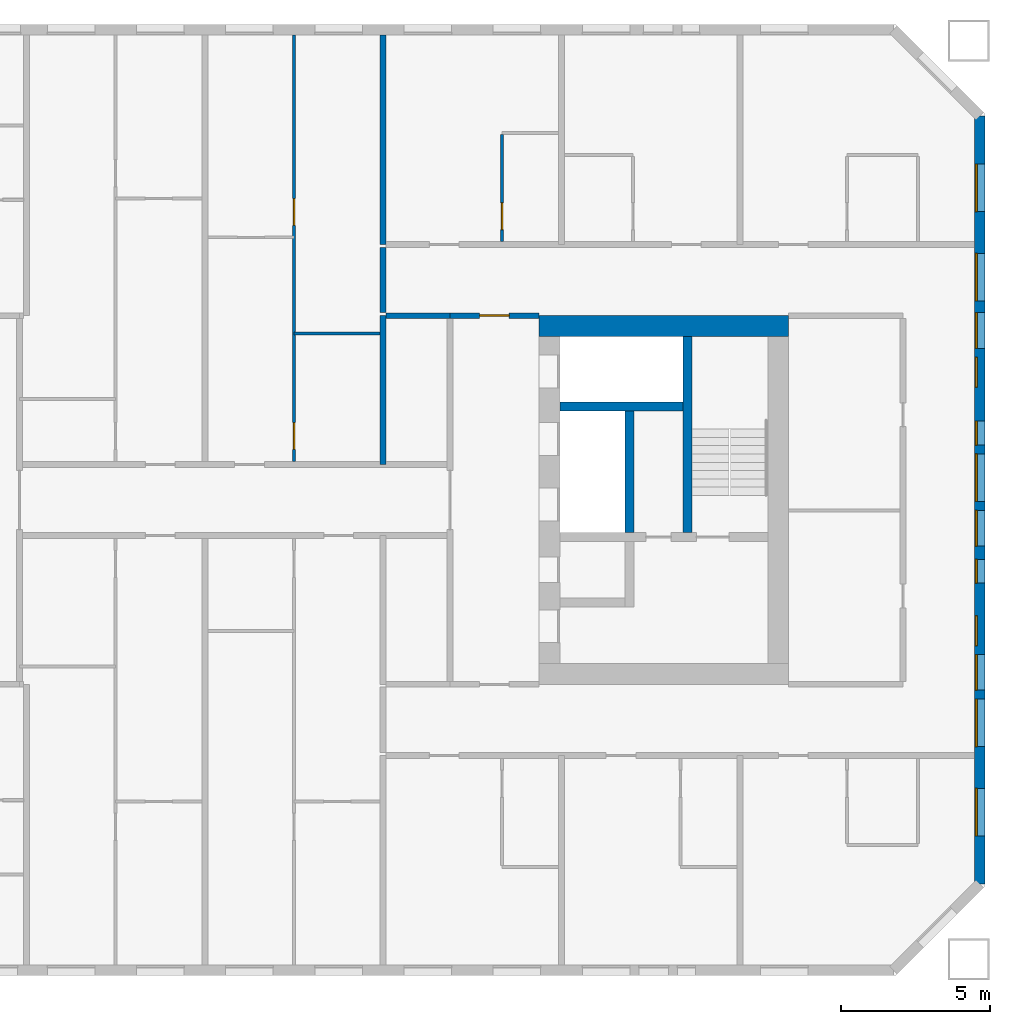
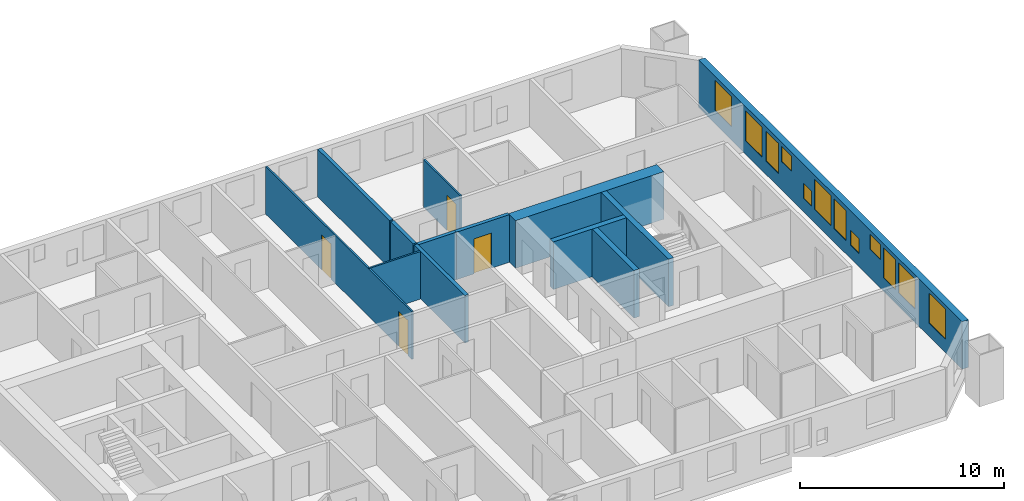
# One storey, part 13 of 17: 13 walls, 12 windows, 4 doors, 16 openings.
"""IFC4 building model written with IfcOpenShell, lengths in metres."""

from ifc_helpers import new_model, si_unit, direction, frame, frame_2d, origin, place, context, subcontext, project, spatial, rectangle, extrude, material, layer, layer_set, type_object, element, fill, save


model = new_model("IFC4")

# Units and contexts
model_context = context("Model", 3, precision=1e-05, world=origin(), true_north=direction((0.0, 1.0)))
body_context = subcontext(model_context, "Body", "Model", "MODEL_VIEW")
ifc_project = project(units=[si_unit("LENGTHUNIT", "METRE"), si_unit("AREAUNIT", "SQUARE_METRE"), si_unit("VOLUMEUNIT", "CUBIC_METRE"), si_unit("PLANEANGLEUNIT", "RADIAN"), si_unit("MASSUNIT", "GRAM", prefix="KILO")], contexts=[model_context])

# Site, building, storey
site_placement = place(None, origin())
site = spatial("IfcSite", under=ifc_project, at=site_placement, CompositionType="ELEMENT")
building_placement = place(site_placement, origin())
building = spatial("IfcBuilding", under=site, at=building_placement, Name="Tuart Gate Housing", CompositionType="ELEMENT")
storey_placement = place(building_placement, frame((0.0, 0.0, 74.699951171875)))
storey = spatial("IfcBuildingStorey", under=building, at=storey_placement, Name="L20", CompositionType="ELEMENT", Elevation=74.699951171875)

# Wall, openings, windows
ifc_material_1 = material(Name="Brick", Category="masonry")
ifc_layer_1 = layer(ifc_material_1, 0.360107421875)
ifc_layer_set_1 = layer_set([ifc_layer_1], Name="Brick pier and spandrel wall 360")
wall_type_1 = type_object("IfcWallType", Name="Brick pier and spandrel wall 360", PredefinedType="STANDARD", material=ifc_layer_set_1)
wall_1_placement = place(storey_placement, frame((175.070068359375, 57.07470703125, 0.0), z_axis=(0.0, 0.0, 1.0), x_axis=(0.0, 1.0, 0.0)))
wall_1 = element("IfcWall", 1, at=wall_1_placement, inside=storey, type_object=wall_type_1, Name="External wall B-E L20", PredefinedType="STANDARD", context=body_context, shape_type="SweptSolid", body=[
    extrude(rectangle(XDim=25.850830078125, YDim=0.360107421875, at=frame_2d((12.92529296875, 0.0))), origin(), (0.0, 0.0, 1.0), 2.85009765625),
])
opening_1_placement = place(wall_1_placement, frame((1.62548828125, 0.0, 0.800048828125)))
opening_1 = element("IfcOpeningElement", 2, at=opening_1_placement, cuts=wall_1, Name="Opening W1", PredefinedType="OPENING", context=body_context, shape_type="SweptSolid", body=[
    extrude(rectangle(XDim=1.60009765625, YDim=1.800048828125, at=frame_2d((0.800048828125, 0.89990234375))), frame((0.0, 0.18994140625, 0.0), z_axis=(0.0, -1.0, 0.0), x_axis=(1.0, 0.0, 0.0)), (0.0, 0.0, 1.0), 0.380126953125),
])
opening_2_placement = place(wall_1_placement, frame((4.62548828125, 0.0, 0.800048828125)))
opening_2 = element("IfcOpeningElement", 3, at=opening_2_placement, cuts=wall_1, Name="Opening W1", PredefinedType="OPENING", context=body_context, shape_type="SweptSolid", body=[
    extrude(rectangle(XDim=1.60009765625, YDim=1.800048828125, at=frame_2d((0.800048828125, 0.89990234375))), frame((0.0, 0.18994140625, 0.0), z_axis=(0.0, -1.0, 0.0), x_axis=(1.0, 0.0, 0.0)), (0.0, 0.0, 1.0), 0.380126953125),
])
opening_3_placement = place(wall_1_placement, frame((6.525390625, 0.0, 0.800048828125)))
opening_3 = element("IfcOpeningElement", 4, at=opening_3_placement, cuts=wall_1, Name="Opening W1B", PredefinedType="OPENING", context=body_context, shape_type="SweptSolid", body=[
    extrude(rectangle(XDim=1.199951171875, YDim=1.800048828125, at=frame_2d((0.60009765625, 0.89990234375))), frame((0.0, 0.18994140625, 0.0), z_axis=(0.0, -1.0, 0.0), x_axis=(1.0, 0.0, 0.0)), (0.0, 0.0, 1.0), 0.380126953125),
])
opening_4_placement = place(wall_1_placement, frame((8.025390625, 0.0, 1.699951171875)))
opening_4 = element("IfcOpeningElement", 5, at=opening_4_placement, cuts=wall_1, Name="Opening W1U", PredefinedType="OPENING", context=body_context, shape_type="SweptSolid", body=[
    extrude(rectangle(XDim=1.0, YDim=0.89990234375, at=frame_2d((0.5, 0.449951171875))), frame((0.0, 0.18994140625, 0.0), z_axis=(0.0, -1.0, 0.0), x_axis=(1.0, 0.0, 0.0)), (0.0, 0.0, 1.0), 0.380126953125),
])
opening_5_placement = place(wall_1_placement, frame((10.12548828125, 0.0, 0.800048828125)))
opening_5 = element("IfcOpeningElement", 6, at=opening_5_placement, cuts=wall_1, Name="Opening W1V", PredefinedType="OPENING", context=body_context, shape_type="SweptSolid", body=[
    extrude(rectangle(XDim=0.800048828125, YDim=0.89990234375, at=frame_2d((0.39990234375, 0.449951171875))), frame((0.0, 0.18994140625, 0.0), z_axis=(0.0, -1.0, 0.0), x_axis=(1.0, 0.0, 0.0)), (0.0, 0.0, 1.0), 0.380126953125),
])
opening_6_placement = place(wall_1_placement, frame((11.37548828125, 0.0, 0.800048828125)))
opening_6 = element("IfcOpeningElement", 7, at=opening_6_placement, cuts=wall_1, Name="Opening W1B", PredefinedType="OPENING", context=body_context, shape_type="SweptSolid", body=[
    extrude(rectangle(XDim=1.199951171875, YDim=1.800048828125, at=frame_2d((0.60009765625, 0.89990234375))), frame((0.0, 0.18994140625, 0.0), z_axis=(0.0, -1.0, 0.0), x_axis=(1.0, 0.0, 0.0)), (0.0, 0.0, 1.0), 0.380126953125),
])
opening_7_placement = place(wall_1_placement, frame((19.62548828125, 0.0, 0.800048828125)))
opening_7 = element("IfcOpeningElement", 8, at=opening_7_placement, cuts=wall_1, Name="Opening W1", PredefinedType="OPENING", context=body_context, shape_type="SweptSolid", body=[
    extrude(rectangle(XDim=1.60009765625, YDim=1.800048828125, at=frame_2d((0.800048828125, 0.89990234375))), frame((0.0, 0.18994140625, 0.0), z_axis=(0.0, -1.0, 0.0), x_axis=(1.0, 0.0, 0.0)), (0.0, 0.0, 1.0), 0.380126953125),
])
opening_8_placement = place(wall_1_placement, frame((22.62548828125, 0.0, 0.800048828125)))
opening_8 = element("IfcOpeningElement", 9, at=opening_8_placement, cuts=wall_1, Name="Opening W1", PredefinedType="OPENING", context=body_context, shape_type="SweptSolid", body=[
    extrude(rectangle(XDim=1.60009765625, YDim=1.800048828125, at=frame_2d((0.800048828125, 0.89990234375))), frame((0.0, 0.18994140625, 0.0), z_axis=(0.0, -1.0, 0.0), x_axis=(1.0, 0.0, 0.0)), (0.0, 0.0, 1.0), 0.380126953125),
])
opening_9_placement = place(wall_1_placement, frame((12.87548828125, 0.0, 0.800048828125)))
opening_9 = element("IfcOpeningElement", 10, at=opening_9_placement, cuts=wall_1, Name="Opening W1", PredefinedType="OPENING", context=body_context, shape_type="SweptSolid", body=[
    extrude(rectangle(XDim=1.60009765625, YDim=1.800048828125, at=frame_2d((0.800048828125, 0.89990234375))), frame((0.0, 0.18994140625, 0.0), z_axis=(0.0, -1.0, 0.0), x_axis=(1.0, 0.0, 0.0)), (0.0, 0.0, 1.0), 0.380126953125),
])
opening_10_placement = place(wall_1_placement, frame((14.775390625, 0.0, 0.800048828125)))
opening_10 = element("IfcOpeningElement", 11, at=opening_10_placement, cuts=wall_1, Name="Opening W1V", PredefinedType="OPENING", context=body_context, shape_type="SweptSolid", body=[
    extrude(rectangle(XDim=0.800048828125, YDim=0.89990234375, at=frame_2d((0.39990234375, 0.449951171875))), frame((0.0, 0.18994140625, 0.0), z_axis=(0.0, -1.0, 0.0), x_axis=(1.0, 0.0, 0.0)), (0.0, 0.0, 1.0), 0.380126953125),
])
opening_11_placement = place(wall_1_placement, frame((16.725341796875, 0.0, 1.699951171875)))
opening_11 = element("IfcOpeningElement", 12, at=opening_11_placement, cuts=wall_1, Name="Opening W1U", PredefinedType="OPENING", context=body_context, shape_type="SweptSolid", body=[
    extrude(rectangle(XDim=1.0, YDim=0.89990234375, at=frame_2d((0.5, 0.449951171875))), frame((0.0, 0.18994140625, 0.0), z_axis=(0.0, -1.0, 0.0), x_axis=(1.0, 0.0, 0.0)), (0.0, 0.0, 1.0), 0.380126953125),
])
opening_12_placement = place(wall_1_placement, frame((18.025390625, 0.0, 0.800048828125)))
opening_12 = element("IfcOpeningElement", 13, at=opening_12_placement, cuts=wall_1, Name="Opening W1B", PredefinedType="OPENING", context=body_context, shape_type="SweptSolid", body=[
    extrude(rectangle(XDim=1.199951171875, YDim=1.800048828125, at=frame_2d((0.60009765625, 0.89990234375))), frame((0.0, 0.18994140625, 0.0), z_axis=(0.0, -1.0, 0.0), x_axis=(1.0, 0.0, 0.0)), (0.0, 0.0, 1.0), 0.380126953125),
])
ifc_material_2 = material(Name="Aluminium frame with clear glass", Category="aluminium")
window_type_1 = type_object("IfcWindowType", Name="Punched window 1000 x 900", PartitioningType="SINGLE_PANEL", PredefinedType="WINDOW", material=ifc_material_2)
window_1_placement = place(opening_4_placement, origin())
window_1 = element("IfcWindow", 14, at=window_1_placement, inside=storey, type_object=window_type_1, Name="Window W1U", OverallHeight=0.89990234375, OverallWidth=1.0, PartitioningType="SINGLE_PANEL", PredefinedType="WINDOW", context=body_context, shape_type="SweptSolid", body=[
    extrude(rectangle(XDim=1.0, YDim=0.89990234375, at=frame_2d((0.5, 0.449951171875))), frame((0.0, 0.150146484375, 0.0), z_axis=(0.0, -1.0, 0.0), x_axis=(1.0, 0.0, 0.0)), (0.0, 0.0, 1.0), 0.06005859375),
])
fill(opening_4, window_1)
window_2_placement = place(opening_11_placement, origin())
window_2 = element("IfcWindow", 15, at=window_2_placement, inside=storey, type_object=window_type_1, Name="Window W1U", OverallHeight=0.89990234375, OverallWidth=1.0, PartitioningType="SINGLE_PANEL", PredefinedType="WINDOW", context=body_context, shape_type="SweptSolid", body=[
    extrude(rectangle(XDim=1.0, YDim=0.89990234375, at=frame_2d((0.5, 0.449951171875))), frame((0.0, 0.150146484375, 0.0), z_axis=(0.0, -1.0, 0.0), x_axis=(1.0, 0.0, 0.0)), (0.0, 0.0, 1.0), 0.06005859375),
])
fill(opening_11, window_2)
ifc_material_3 = material(Name="Aluminium frame with clear glass", Category="aluminium")
window_type_2 = type_object("IfcWindowType", Name="Punched window 1200 x 1800", PartitioningType="SINGLE_PANEL", PredefinedType="WINDOW", material=ifc_material_3)
window_3_placement = place(opening_3_placement, origin())
window_3 = element("IfcWindow", 16, at=window_3_placement, inside=storey, type_object=window_type_2, Name="Window W1B", OverallHeight=1.800048828125, OverallWidth=1.199951171875, PartitioningType="SINGLE_PANEL", PredefinedType="WINDOW", context=body_context, shape_type="SweptSolid", body=[
    extrude(rectangle(XDim=1.199951171875, YDim=1.800048828125, at=frame_2d((0.60009765625, 0.89990234375))), frame((0.0, 0.150146484375, 0.0), z_axis=(0.0, -1.0, 0.0), x_axis=(1.0, 0.0, 0.0)), (0.0, 0.0, 1.0), 0.06005859375),
])
fill(opening_3, window_3)
window_4_placement = place(opening_6_placement, origin())
window_4 = element("IfcWindow", 17, at=window_4_placement, inside=storey, type_object=window_type_2, Name="Window W1B", OverallHeight=1.800048828125, OverallWidth=1.199951171875, PartitioningType="SINGLE_PANEL", PredefinedType="WINDOW", context=body_context, shape_type="SweptSolid", body=[
    extrude(rectangle(XDim=1.199951171875, YDim=1.800048828125, at=frame_2d((0.60009765625, 0.89990234375))), frame((0.0, 0.150146484375, 0.0), z_axis=(0.0, -1.0, 0.0), x_axis=(1.0, 0.0, 0.0)), (0.0, 0.0, 1.0), 0.06005859375),
])
fill(opening_6, window_4)
window_5_placement = place(opening_12_placement, origin())
window_5 = element("IfcWindow", 18, at=window_5_placement, inside=storey, type_object=window_type_2, Name="Window W1B", OverallHeight=1.800048828125, OverallWidth=1.199951171875, PartitioningType="SINGLE_PANEL", PredefinedType="WINDOW", context=body_context, shape_type="SweptSolid", body=[
    extrude(rectangle(XDim=1.199951171875, YDim=1.800048828125, at=frame_2d((0.60009765625, 0.89990234375))), frame((0.0, 0.150146484375, 0.0), z_axis=(0.0, -1.0, 0.0), x_axis=(1.0, 0.0, 0.0)), (0.0, 0.0, 1.0), 0.06005859375),
])
fill(opening_12, window_5)
ifc_material_4 = material(Name="Aluminium frame with clear glass", Category="aluminium")
window_type_3 = type_object("IfcWindowType", Name="Punched window 1600 x 1800", PartitioningType="SINGLE_PANEL", PredefinedType="WINDOW", material=ifc_material_4)
window_6_placement = place(opening_1_placement, origin())
window_6 = element("IfcWindow", 19, at=window_6_placement, inside=storey, type_object=window_type_3, Name="Window W1", OverallHeight=1.800048828125, OverallWidth=1.60009765625, PartitioningType="SINGLE_PANEL", PredefinedType="WINDOW", context=body_context, shape_type="SweptSolid", body=[
    extrude(rectangle(XDim=1.60009765625, YDim=1.800048828125, at=frame_2d((0.800048828125, 0.89990234375))), frame((0.0, 0.150146484375, 0.0), z_axis=(0.0, -1.0, 0.0), x_axis=(1.0, 0.0, 0.0)), (0.0, 0.0, 1.0), 0.06005859375),
])
fill(opening_1, window_6)
window_7_placement = place(opening_2_placement, origin())
window_7 = element("IfcWindow", 20, at=window_7_placement, inside=storey, type_object=window_type_3, Name="Window W1", OverallHeight=1.800048828125, OverallWidth=1.60009765625, PartitioningType="SINGLE_PANEL", PredefinedType="WINDOW", context=body_context, shape_type="SweptSolid", body=[
    extrude(rectangle(XDim=1.60009765625, YDim=1.800048828125, at=frame_2d((0.800048828125, 0.89990234375))), frame((0.0, 0.150146484375, 0.0), z_axis=(0.0, -1.0, 0.0), x_axis=(1.0, 0.0, 0.0)), (0.0, 0.0, 1.0), 0.06005859375),
])
fill(opening_2, window_7)
window_8_placement = place(opening_7_placement, origin())
window_8 = element("IfcWindow", 21, at=window_8_placement, inside=storey, type_object=window_type_3, Name="Window W1", OverallHeight=1.800048828125, OverallWidth=1.60009765625, PartitioningType="SINGLE_PANEL", PredefinedType="WINDOW", context=body_context, shape_type="SweptSolid", body=[
    extrude(rectangle(XDim=1.60009765625, YDim=1.800048828125, at=frame_2d((0.800048828125, 0.89990234375))), frame((0.0, 0.150146484375, 0.0), z_axis=(0.0, -1.0, 0.0), x_axis=(1.0, 0.0, 0.0)), (0.0, 0.0, 1.0), 0.06005859375),
])
fill(opening_7, window_8)
window_9_placement = place(opening_8_placement, origin())
window_9 = element("IfcWindow", 22, at=window_9_placement, inside=storey, type_object=window_type_3, Name="Window W1", OverallHeight=1.800048828125, OverallWidth=1.60009765625, PartitioningType="SINGLE_PANEL", PredefinedType="WINDOW", context=body_context, shape_type="SweptSolid", body=[
    extrude(rectangle(XDim=1.60009765625, YDim=1.800048828125, at=frame_2d((0.800048828125, 0.89990234375))), frame((0.0, 0.150146484375, 0.0), z_axis=(0.0, -1.0, 0.0), x_axis=(1.0, 0.0, 0.0)), (0.0, 0.0, 1.0), 0.06005859375),
])
fill(opening_8, window_9)
window_10_placement = place(opening_9_placement, origin())
window_10 = element("IfcWindow", 23, at=window_10_placement, inside=storey, type_object=window_type_3, Name="Window W1", OverallHeight=1.800048828125, OverallWidth=1.60009765625, PartitioningType="SINGLE_PANEL", PredefinedType="WINDOW", context=body_context, shape_type="SweptSolid", body=[
    extrude(rectangle(XDim=1.60009765625, YDim=1.800048828125, at=frame_2d((0.800048828125, 0.89990234375))), frame((0.0, 0.150146484375, 0.0), z_axis=(0.0, -1.0, 0.0), x_axis=(1.0, 0.0, 0.0)), (0.0, 0.0, 1.0), 0.06005859375),
])
fill(opening_9, window_10)
ifc_material_5 = material(Name="Aluminium frame with clear glass", Category="aluminium")
window_type_4 = type_object("IfcWindowType", Name="Punched window 800 x 900", PartitioningType="SINGLE_PANEL", PredefinedType="WINDOW", material=ifc_material_5)
window_11_placement = place(opening_5_placement, origin())
window_11 = element("IfcWindow", 24, at=window_11_placement, inside=storey, type_object=window_type_4, Name="Window W1V", OverallHeight=0.89990234375, OverallWidth=0.800048828125, PartitioningType="SINGLE_PANEL", PredefinedType="WINDOW", context=body_context, shape_type="SweptSolid", body=[
    extrude(rectangle(XDim=0.800048828125, YDim=0.89990234375, at=frame_2d((0.39990234375, 0.449951171875))), frame((0.0, 0.150146484375, 0.0), z_axis=(0.0, -1.0, 0.0), x_axis=(1.0, 0.0, 0.0)), (0.0, 0.0, 1.0), 0.06005859375),
])
fill(opening_5, window_11)
window_12_placement = place(opening_10_placement, origin())
window_12 = element("IfcWindow", 25, at=window_12_placement, inside=storey, type_object=window_type_4, Name="Window W1V", OverallHeight=0.89990234375, OverallWidth=0.800048828125, PartitioningType="SINGLE_PANEL", PredefinedType="WINDOW", context=body_context, shape_type="SweptSolid", body=[
    extrude(rectangle(XDim=0.800048828125, YDim=0.89990234375, at=frame_2d((0.39990234375, 0.449951171875))), frame((0.0, 0.150146484375, 0.0), z_axis=(0.0, -1.0, 0.0), x_axis=(1.0, 0.0, 0.0)), (0.0, 0.0, 1.0), 0.06005859375),
])
fill(opening_10, window_12)

# Walls
ifc_material_6 = material(Name="Concrete C50", Category="concrete")
ifc_layer_2 = layer(ifc_material_6, 0.300048828125)
ifc_layer_set_2 = layer_set([ifc_layer_2], Name="Core wall 300 C50")
wall_type_2 = type_object("IfcWallType", Name="Core wall 300 C50", PredefinedType="SHEAR", material=ifc_layer_set_2)
wall_2_placement = place(storey_placement, frame((160.93994140625, 73.14990234375, 0.0), z_axis=(0.0, 0.0, 1.0), x_axis=(1.0, 0.0, 0.0)))
element("IfcWall", 26, at=wall_2_placement, inside=storey, type_object=wall_type_2, Name="Core wall BK.1", PredefinedType="SHEAR", context=body_context, shape_type="SweptSolid", body=[
    extrude(rectangle(XDim=4.150146484375, YDim=0.300048828125, at=frame_2d((2.0751953125, 0.0))), origin(), (0.0, 0.0, 1.0), 2.85009765625),
])
wall_3_placement = place(storey_placement, frame((163.2900390625, 73.0, 0.0), z_axis=(0.0, 0.0, 1.0), x_axis=(0.0, -1.0, 0.0)))
element("IfcWall", 27, at=wall_3_placement, inside=storey, type_object=wall_type_2, Name="Core wall BK.4", PredefinedType="SHEAR", context=body_context, shape_type="SweptSolid", body=[
    extrude(rectangle(XDim=4.10009765625, YDim=0.300048828125, at=frame_2d((2.050048828125, 0.0))), origin(), (0.0, 0.0, 1.0), 2.85009765625),
])
wall_4_placement = place(storey_placement, frame((165.239990234375, 75.5, 0.0), z_axis=(0.0, 0.0, 1.0), x_axis=(0.0, -1.0, 0.0)))
element("IfcWall", 28, at=wall_4_placement, inside=storey, type_object=wall_type_2, Name="Core wall BK.6", PredefinedType="SHEAR", context=body_context, shape_type="SweptSolid", body=[
    extrude(rectangle(XDim=6.60009765625, YDim=0.300048828125, at=frame_2d((3.300048828125, 0.0))), origin(), (0.0, 0.0, 1.0), 2.85009765625),
])
ifc_material_7 = material(Name="Concrete C50", Category="concrete")
ifc_layer_3 = layer(ifc_material_7, 0.699951171875)
ifc_layer_set_3 = layer_set([ifc_layer_3], Name="Core wall 700 C50")
wall_type_3 = type_object("IfcWallType", Name="Core wall 700 C50", PredefinedType="SHEAR", material=ifc_layer_set_3)
wall_5_placement = place(storey_placement, frame((160.239990234375, 75.85009765625, 0.0), z_axis=(0.0, 0.0, 1.0), x_axis=(1.0, 0.0, 0.0)))
element("IfcWall", 29, at=wall_5_placement, inside=storey, type_object=wall_type_3, Name="Core wall BK south", PredefinedType="SHEAR", context=body_context, shape_type="SweptSolid", body=[
    extrude(rectangle(XDim=8.39990234375, YDim=0.699951171875, at=frame_2d((4.199951171875, 0.0))), origin(), (0.0, 0.0, 1.0), 2.85009765625),
])
ifc_material_8 = material(Name="Concrete masonry 15 MPa", Category="masonry")
ifc_layer_4 = layer(ifc_material_8, 0.199951171875)
ifc_layer_set_4 = layer_set([ifc_layer_4], Name="Corridor wall masonry 200")
wall_type_4 = type_object("IfcWallType", Name="Corridor wall masonry 200", PredefinedType="PARTITIONING", material=ifc_layer_set_4)
wall_6_placement = place(storey_placement, frame((155.10009765625, 76.199951171875, 0.0), z_axis=(0.0, 0.0, 1.0), x_axis=(1.0, 0.0, 0.0)))
element("IfcWall", 30, at=wall_6_placement, inside=storey, type_object=wall_type_4, Name="Corridor wall masonry 200", PredefinedType="PARTITIONING", context=body_context, shape_type="SweptSolid", body=[
    extrude(rectangle(XDim=2.139892578125, YDim=0.199951171875, at=frame_2d((1.06982421875, 0.0))), origin(), (0.0, 0.0, 1.0), 2.85009765625),
])
wall_7_placement = place(storey_placement, frame((155.0, 76.300048828125, 0.0), z_axis=(0.0, 0.0, 1.0), x_axis=(0.0, 1.0, 0.0)))
element("IfcWall", 31, at=wall_7_placement, inside=storey, type_object=wall_type_4, Name="Corridor wall masonry 200", PredefinedType="PARTITIONING", context=body_context, shape_type="SweptSolid", body=[
    extrude(rectangle(XDim=2.199951171875, YDim=0.199951171875, at=frame_2d((1.10009765625, 0.0))), origin(), (0.0, 0.0, 1.0), 2.85009765625),
])

# Wall, opening, door
ifc_material_9 = material(Name="Concrete masonry 15 MPa", Category="masonry")
ifc_layer_5 = layer(ifc_material_9, 0.199951171875)
ifc_layer_set_5 = layer_set([ifc_layer_5], Name="Enclosure wall masonry 200")
wall_type_5 = type_object("IfcWallType", Name="Enclosure wall masonry 200", PredefinedType="PARTITIONING", material=ifc_layer_set_5)
wall_8_placement = place(storey_placement, frame((157.239990234375, 76.199951171875, 0.0), z_axis=(0.0, 0.0, 1.0), x_axis=(1.0, 0.0, 0.0)))
wall_8 = element("IfcWall", 32, at=wall_8_placement, inside=storey, type_object=wall_type_5, Name="Enclosure wall masonry 200", PredefinedType="PARTITIONING", context=body_context, shape_type="SweptSolid", body=[
    extrude(rectangle(XDim=3.0, YDim=0.199951171875, at=frame_2d((1.5, 0.0))), origin(), (0.0, 0.0, 1.0), 2.85009765625),
])
opening_13_placement = place(wall_8_placement, frame((1.0, 0.0, 0.0)))
opening_13 = element("IfcOpeningElement", 33, at=opening_13_placement, cuts=wall_8, Name="Opening D914", PredefinedType="OPENING", context=body_context, shape_type="SweptSolid", body=[
    extrude(rectangle(XDim=1.0, YDim=2.10009765625, at=frame_2d((0.5, 1.050048828125))), frame((0.0, 0.10986328125, 0.0), z_axis=(0.0, -1.0, 0.0), x_axis=(1.0, 0.0, 0.0)), (0.0, 0.0, 1.0), 0.219970703125),
])
ifc_material_10 = material(Name="Timber door leaf in steel frame", Category="steel")
door_type_1 = type_object("IfcDoorType", Name="Fire door 1000", OperationType="SINGLE_SWING_LEFT", PredefinedType="DOOR", material=ifc_material_10)
door_1_placement = place(opening_13_placement, origin())
door_1 = element("IfcDoor", 34, at=door_1_placement, inside=storey, type_object=door_type_1, Name="Fire door", OperationType="SINGLE_SWING_LEFT", OverallHeight=2.10009765625, OverallWidth=1.0, PredefinedType="DOOR", context=body_context, shape_type="SweptSolid", body=[
    extrude(rectangle(XDim=1.0, YDim=2.10009765625, at=frame_2d((0.5, 1.050048828125))), frame((0.0, 0.02490234375, 0.0), z_axis=(0.0, -1.0, 0.0), x_axis=(1.0, 0.0, 0.0)), (0.0, 0.0, 1.0), 0.050048828125),
])
fill(opening_13, door_1)

# Wall
ifc_material_11 = material(Name="Gypsum board on steel studs", Category="steel")
ifc_layer_6 = layer(ifc_material_11, 0.10009765625)
ifc_layer_set_6 = layer_set([ifc_layer_6], Name="Partition 100")
wall_type_6 = type_object("IfcWallType", Name="Partition 100", PredefinedType="PARTITIONING", material=ifc_layer_set_6)
wall_9_placement = place(storey_placement, frame((152.0, 75.60009765625, 0.0), z_axis=(0.0, 0.0, 1.0), x_axis=(1.0, 0.0, 0.0)))
element("IfcWall", 35, at=wall_9_placement, inside=storey, type_object=wall_type_6, Name="Partition 100", PredefinedType="PARTITIONING", context=body_context, shape_type="SweptSolid", body=[
    extrude(rectangle(XDim=2.89990234375, YDim=0.10009765625, at=frame_2d((1.449951171875, 0.0))), origin(), (0.0, 0.0, 1.0), 2.85009765625),
])

# Wall, openings, doors
wall_10_placement = place(storey_placement, frame((152.0, 71.300048828125, 0.0), z_axis=(0.0, 0.0, 1.0), x_axis=(0.0, 1.0, 0.0)))
wall_10 = element("IfcWall", 36, at=wall_10_placement, inside=storey, type_object=wall_type_6, Name="Partition 100", PredefinedType="PARTITIONING", context=body_context, shape_type="SweptSolid", body=[
    extrude(rectangle(XDim=14.33984375, YDim=0.10009765625, at=frame_2d((7.169921875, 0.0))), origin(), (0.0, 0.0, 1.0), 2.85009765625),
])
opening_14_placement = place(wall_10_placement, frame((7.93994140625, 0.0, 0.0)))
opening_14 = element("IfcOpeningElement", 37, at=opening_14_placement, cuts=wall_10, Name="Opening D912", PredefinedType="OPENING", context=body_context, shape_type="SweptSolid", body=[
    extrude(rectangle(XDim=0.89990234375, YDim=2.10009765625, at=frame_2d((0.449951171875, 1.050048828125))), frame((0.0, 0.06005859375, 0.0), z_axis=(0.0, -1.0, 0.0), x_axis=(1.0, 0.0, 0.0)), (0.0, 0.0, 1.0), 0.1201171875),
])
opening_15_placement = place(wall_10_placement, frame((0.39990234375, 0.0, 0.0)))
opening_15 = element("IfcOpeningElement", 38, at=opening_15_placement, cuts=wall_10, Name="Opening D911", PredefinedType="OPENING", context=body_context, shape_type="SweptSolid", body=[
    extrude(rectangle(XDim=0.89990234375, YDim=2.10009765625, at=frame_2d((0.449951171875, 1.050048828125))), frame((0.0, 0.06005859375, 0.0), z_axis=(0.0, -1.0, 0.0), x_axis=(1.0, 0.0, 0.0)), (0.0, 0.0, 1.0), 0.1201171875),
])
ifc_material_12 = material(Name="Timber door leaf in steel frame", Category="steel")
door_type_2 = type_object("IfcDoorType", Name="Bathroom door 900 RH", OperationType="SINGLE_SWING_RIGHT", PredefinedType="DOOR", material=ifc_material_12)
door_2_placement = place(opening_15_placement, frame((0.89990234375, 0.0, 0.0), z_axis=(0.0, 0.0, 1.0), x_axis=(-1.0, 0.0, 0.0)))
door_2 = element("IfcDoor", 39, at=door_2_placement, inside=storey, type_object=door_type_2, Name="Bathroom door", OperationType="SINGLE_SWING_RIGHT", OverallHeight=2.10009765625, OverallWidth=0.89990234375, PredefinedType="DOOR", context=body_context, shape_type="SweptSolid", body=[
    extrude(rectangle(XDim=0.89990234375, YDim=2.10009765625, at=frame_2d((0.449951171875, 1.050048828125))), frame((0.0, 0.025146484375, 0.0), z_axis=(0.0, -1.0, 0.0), x_axis=(1.0, 0.0, 0.0)), (0.0, 0.0, 1.0), 0.050048828125),
])
fill(opening_15, door_2)
ifc_material_13 = material(Name="Timber door leaf in steel frame", Category="steel")
door_type_3 = type_object("IfcDoorType", Name="Internal door 900 RH", OperationType="SINGLE_SWING_RIGHT", PredefinedType="DOOR", material=ifc_material_13)
door_3_placement = place(opening_14_placement, frame((0.89990234375, 0.0, 0.0), z_axis=(0.0, 0.0, 1.0), x_axis=(-1.0, 0.0, 0.0)))
door_3 = element("IfcDoor", 40, at=door_3_placement, inside=storey, type_object=door_type_3, Name="Internal door", OperationType="SINGLE_SWING_RIGHT", OverallHeight=2.10009765625, OverallWidth=0.89990234375, PredefinedType="DOOR", context=body_context, shape_type="SweptSolid", body=[
    extrude(rectangle(XDim=0.89990234375, YDim=2.10009765625, at=frame_2d((0.449951171875, 1.050048828125))), frame((0.0, 0.025146484375, 0.0), z_axis=(0.0, -1.0, 0.0), x_axis=(1.0, 0.0, 0.0)), (0.0, 0.0, 1.0), 0.050048828125),
])
fill(opening_14, door_3)

# Wall, opening, door
wall_11_placement = place(storey_placement, frame((159.0, 78.699951171875, 0.0), z_axis=(0.0, 0.0, 1.0), x_axis=(0.0, 1.0, 0.0)))
wall_11 = element("IfcWall", 41, at=wall_11_placement, inside=storey, type_object=wall_type_6, Name="Partition 100", PredefinedType="PARTITIONING", context=body_context, shape_type="SweptSolid", body=[
    extrude(rectangle(XDim=3.60009765625, YDim=0.10009765625, at=frame_2d((1.800048828125, 0.0))), origin(), (0.0, 0.0, 1.0), 2.85009765625),
])
opening_16_placement = place(wall_11_placement, frame((0.39990234375, 0.0, 0.0)))
opening_16 = element("IfcOpeningElement", 42, at=opening_16_placement, cuts=wall_11, Name="Opening D899", PredefinedType="OPENING", context=body_context, shape_type="SweptSolid", body=[
    extrude(rectangle(XDim=0.89990234375, YDim=2.10009765625, at=frame_2d((0.449951171875, 1.050048828125))), frame((0.0, 0.06005859375, 0.0), z_axis=(0.0, -1.0, 0.0), x_axis=(1.0, 0.0, 0.0)), (0.0, 0.0, 1.0), 0.1201171875),
])
door_4_placement = place(opening_16_placement, frame((0.89990234375, 0.0, 0.0), z_axis=(0.0, 0.0, 1.0), x_axis=(-1.0, 0.0, 0.0)))
door_4 = element("IfcDoor", 43, at=door_4_placement, inside=storey, type_object=door_type_2, Name="Bathroom door", OperationType="SINGLE_SWING_RIGHT", OverallHeight=2.10009765625, OverallWidth=0.89990234375, PredefinedType="DOOR", context=body_context, shape_type="SweptSolid", body=[
    extrude(rectangle(XDim=0.89990234375, YDim=2.10009765625, at=frame_2d((0.449951171875, 1.050048828125))), frame((0.0, 0.025146484375, 0.0), z_axis=(0.0, -1.0, 0.0), x_axis=(1.0, 0.0, 0.0)), (0.0, 0.0, 1.0), 0.050048828125),
])
fill(opening_16, door_4)

# Walls
ifc_material_14 = material(Name="Concrete C40", Category="concrete")
ifc_layer_7 = layer(ifc_material_14, 0.199951171875)
ifc_layer_set_7 = layer_set([ifc_layer_7], Name="Party wall concrete C40 200")
wall_type_7 = type_object("IfcWallType", Name="Party wall concrete C40 200", PredefinedType="SOLIDWALL", material=ifc_layer_set_7)
wall_12_placement = place(storey_placement, frame((155.0, 71.199951171875, 0.0), z_axis=(0.0, 0.0, 1.0), x_axis=(0.0, 1.0, 0.0)))
element("IfcWall", 44, at=wall_12_placement, inside=storey, type_object=wall_type_7, Name="Party wall concrete C40 200", PredefinedType="SOLIDWALL", context=body_context, shape_type="SweptSolid", body=[
    extrude(rectangle(XDim=5.0, YDim=0.199951171875, at=frame_2d((2.5, 0.0))), origin(), (0.0, 0.0, 1.0), 2.85009765625),
])
wall_13_placement = place(storey_placement, frame((155.0, 78.60009765625, 0.0), z_axis=(0.0, 0.0, 1.0), x_axis=(0.0, 1.0, 0.0)))
element("IfcWall", 45, at=wall_13_placement, inside=storey, type_object=wall_type_7, Name="Party wall concrete C40 200", PredefinedType="SOLIDWALL", context=body_context, shape_type="SweptSolid", body=[
    extrude(rectangle(XDim=7.039794921875, YDim=0.199951171875, at=frame_2d((3.52001953125, 0.0))), origin(), (0.0, 0.0, 1.0), 2.85009765625),
])

save(model, "model.ifc")
